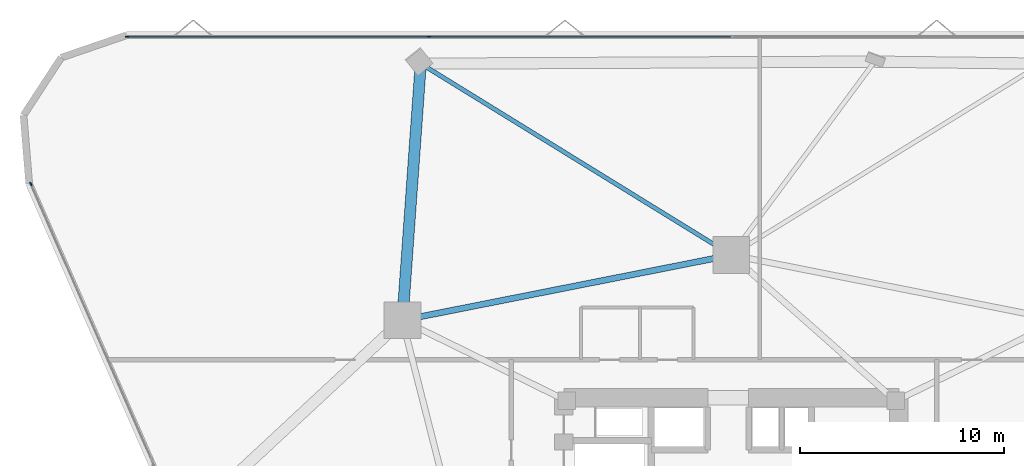
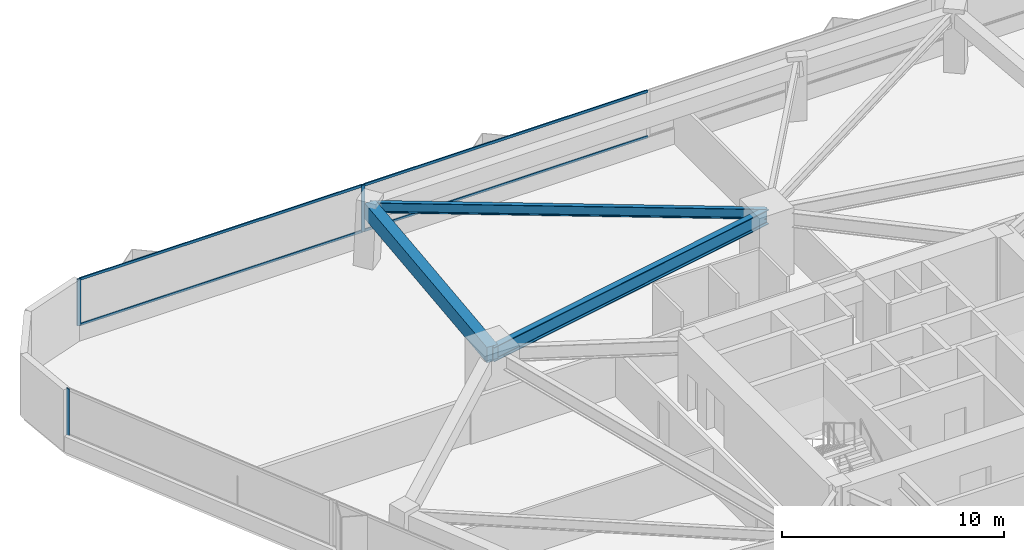
# One storey, part 11 of 20: 7 members, 3 beams, 2 elements without a shape of their own.
"""IFC4 building model written with IfcOpenShell, lengths in metres."""

from ifc_helpers import new_model, si_unit, direction, frame, origin, origin_2d, place, context, subcontext, project, spatial, rectangle, i_section, extrude, material, layer, layer_set, material_profile, profile_set, type_object, element, aggregate, save


model = new_model("IFC4")

# Units and contexts
model_context = context("Model", 3, precision=1e-05, world=origin(), true_north=direction((0.0, 1.0)))
body_context = subcontext(model_context, "Body", "Model", "MODEL_VIEW")
ifc_project = project(units=[si_unit("LENGTHUNIT", "METRE"), si_unit("AREAUNIT", "SQUARE_METRE"), si_unit("VOLUMEUNIT", "CUBIC_METRE"), si_unit("PLANEANGLEUNIT", "RADIAN"), si_unit("MASSUNIT", "GRAM", prefix="KILO")], contexts=[model_context])

# Site, building, storey
site_placement = place(None, origin())
site = spatial("IfcSite", under=ifc_project, at=site_placement, CompositionType="ELEMENT")
building_placement = place(site_placement, origin())
building = spatial("IfcBuilding", under=site, at=building_placement, Name="Talyreon Biosciences Tower", CompositionType="ELEMENT")
storey_placement = place(building_placement, frame((0.0, 0.0, 30.10009765625)))
storey = spatial("IfcBuildingStorey", under=building, at=storey_placement, Name="L07", CompositionType="ELEMENT", Elevation=30.10009765625)

# Curtain wall, member
ifc_material_1 = material(Name="Thermally broken aluminium and low-E glazing", Category="aluminium")
ifc_layer = layer(ifc_material_1, 0.195068359375)
ifc_layer_set = layer_set([ifc_layer], Name="Thermally broken aluminium and low-E glazing")
curtain_wall_type = type_object("IfcCurtainWallType", Name="CurtainWall_Zone1WetLab", PredefinedType="NOTDEFINED", material=ifc_layer_set)
curtain_wall_1_placement = place(storey_placement, origin())
curtain_wall_1 = element("IfcCurtainWall", 1, at=curtain_wall_1_placement, inside=storey, type_object=curtain_wall_type, Name="L07 Unitised Curtain Wall FCW-L07-00", PredefinedType="NOTDEFINED")
ifc_material_2 = material(Name="Anodised thermally broken aluminium", Category="aluminium")
ifc_material_profile_1 = material_profile(ifc_material_2, rectangle(XDim=0.06494140625, YDim=0.179931640625, at=origin_2d()), Name="ALUM MULLION 65x180")
ifc_profile_set_1 = profile_set([ifc_material_profile_1], Name="Anodised thermally broken aluminium")
member_type_1 = type_object("IfcMemberType", Name="CWMullion_65x180", PredefinedType="MULLION", material=ifc_profile_set_1)
member_1_placement = place(storey_placement, frame((31.7119140625, 85.26953125, 0.809814453125), z_axis=(0.0, 0.0, 1.0), x_axis=(-0.915926900592, -0.401345129249, 0.0)))
member_1 = element("IfcMember", 2, at=member_1_placement, type_object=member_type_1, Name="CW2 mullion 6", PredefinedType="MULLION", context=body_context, shape_type="SweptSolid", body=[
    extrude(rectangle(XDim=0.06494140625, YDim=0.179931640625, at=origin_2d()), origin(), (0.0, 0.0, 1.0), 2.565185546875),
])
aggregate(curtain_wall_1, [member_1])

# Curtain wall, members
curtain_wall_2_placement = place(storey_placement, origin())
curtain_wall_2 = element("IfcCurtainWall", 3, at=curtain_wall_2_placement, inside=storey, type_object=curtain_wall_type, Name="L07 Unitised Curtain Wall FCW-L07-04", PredefinedType="NOTDEFINED")
member_2_placement = place(storey_placement, frame((36.4208984375, 92.474365234375, 0.809814453125), z_axis=(0.0, 0.0, 1.0), x_axis=(0.0, 1.0, 0.0)))
member_2 = element("IfcMember", 4, at=member_2_placement, type_object=member_type_1, Name="CW2 mullion 1", PredefinedType="MULLION", context=body_context, shape_type="SweptSolid", body=[
    extrude(rectangle(XDim=0.06494140625, YDim=0.179931640625, at=origin_2d()), origin(), (0.0, 0.0, 1.0), 2.565185546875),
])
member_3_placement = place(storey_placement, frame((51.1943359375, 92.474365234375, 0.809814453125), z_axis=(0.0, 0.0, 1.0), x_axis=(0.0, 1.0, 0.0)))
member_3 = element("IfcMember", 5, at=member_3_placement, type_object=member_type_1, Name="CW2 mullion 2", PredefinedType="MULLION", context=body_context, shape_type="SweptSolid", body=[
    extrude(rectangle(XDim=0.06494140625, YDim=0.179931640625, at=origin_2d()), origin(), (0.0, 0.0, 1.0), 2.565185546875),
])
ifc_material_profile_2 = material_profile(ifc_material_2, rectangle(XDim=0.06494140625, YDim=0.139892578125, at=origin_2d()), Name="ALUM TRANSOM 65x140")
ifc_profile_set_2 = profile_set([ifc_material_profile_2], Name="Anodised thermally broken aluminium")
member_type_2 = type_object("IfcMemberType", Name="CWTransom_65x140", PredefinedType="USERDEFINED", material=ifc_profile_set_2)
member_4_placement = place(storey_placement, frame((36.45361328125, 92.474365234375, 0.84228515625), z_axis=(1.0, 0.0, 0.0), x_axis=(0.0, 1.0, 0.0)))
member_4 = element("IfcMember", 6, at=member_4_placement, type_object=member_type_2, Name="CW2 transom 1.1", ObjectType="TRANSOM", PredefinedType="USERDEFINED", context=body_context, shape_type="SweptSolid", body=[
    extrude(rectangle(XDim=0.06494140625, YDim=0.139892578125, at=origin_2d()), origin(), (0.0, 0.0, 1.0), 14.708251953125),
])
member_5_placement = place(storey_placement, frame((36.45361328125, 92.474365234375, 3.34228515625), z_axis=(1.0, 0.0, 0.0), x_axis=(0.0, 1.0, 0.0)))
member_5 = element("IfcMember", 7, at=member_5_placement, type_object=member_type_2, Name="CW2 transom 1.2", ObjectType="TRANSOM", PredefinedType="USERDEFINED", context=body_context, shape_type="SweptSolid", body=[
    extrude(rectangle(XDim=0.06494140625, YDim=0.139892578125, at=origin_2d()), origin(), (0.0, 0.0, 1.0), 14.708251953125),
])
member_6_placement = place(storey_placement, frame((51.226806640625, 92.474365234375, 0.84228515625), z_axis=(1.0, 0.0, 0.0), x_axis=(0.0, 1.0, 0.0)))
member_6 = element("IfcMember", 8, at=member_6_placement, type_object=member_type_2, Name="CW2 transom 2.1", ObjectType="TRANSOM", PredefinedType="USERDEFINED", context=body_context, shape_type="SweptSolid", body=[
    extrude(rectangle(XDim=0.06494140625, YDim=0.139892578125, at=origin_2d()), origin(), (0.0, 0.0, 1.0), 14.74072265625),
])
member_7_placement = place(storey_placement, frame((51.226806640625, 92.474365234375, 3.34228515625), z_axis=(1.0, 0.0, 0.0), x_axis=(0.0, 1.0, 0.0)))
member_7 = element("IfcMember", 9, at=member_7_placement, type_object=member_type_2, Name="CW2 transom 2.2", ObjectType="TRANSOM", PredefinedType="USERDEFINED", context=body_context, shape_type="SweptSolid", body=[
    extrude(rectangle(XDim=0.06494140625, YDim=0.139892578125, at=origin_2d()), origin(), (0.0, 0.0, 1.0), 14.74072265625),
])
aggregate(curtain_wall_2, [member_2, member_3, member_4, member_5, member_6, member_7])

# Beams
ifc_material_3 = material(Name="Precast concrete C45/55", Category="concrete")
ifc_material_profile_3 = material_profile(ifc_material_3, rectangle(XDim=0.550048828125, YDim=0.85009765625, at=origin_2d()), Name="RCB 550x850")
ifc_profile_set_3 = profile_set([ifc_material_profile_3], Name="Precast concrete C45/55")
beam_type_1 = type_object("IfcBeamType", Name="ExpressedSpandrel_550x850", PredefinedType="SPANDREL", material=ifc_profile_set_3)
beam_1_placement = place(storey_placement, frame((50.798095703125, 91.15966796875, 2.949951171875), z_axis=(-0.071497794265, -0.997440757847, 0.0), x_axis=(0.997440757847, -0.071497794265, 0.0)))
element("IfcBeam", 10, at=beam_1_placement, inside=storey, type_object=beam_type_1, Name="L07 Expressed Horizontal Concrete Spandrel 08", PredefinedType="SPANDREL", context=body_context, shape_type="SweptSolid", body=[
    extrude(rectangle(XDim=0.550048828125, YDim=0.85009765625, at=origin_2d()), origin(), (0.0, 0.0, 1.0), 12.59326171875),
])
ifc_material_4 = material(Name="Steel SM355", Category="steel")
ifc_material_profile_4 = material_profile(ifc_material_4, i_section(OverallWidth=0.300048828125, OverallDepth=0.800048828125, WebThickness=0.017578125, FlangeThickness=0.032958984375, FilletRadius=0.030029296875, at=origin_2d()), Name="HE800B")
ifc_profile_set_4 = profile_set([ifc_material_profile_4], Name="Steel SM355")
beam_type_2 = type_object("IfcBeamType", Name="SteelGirder_HE800B", PredefinedType="BEAM", material=ifc_profile_set_4)
beam_2_placement = place(storey_placement, frame((66.0, 81.788818359375, 2.974853515625), z_axis=(-0.980933730698, -0.194342522311, 0.0), x_axis=(0.194342522311, -0.980933730698, 0.0)))
element("IfcBeam", 11, at=beam_2_placement, inside=storey, type_object=beam_type_2, Name="L07 Mega-Ring Girder 4", PredefinedType="BEAM", context=body_context, shape_type="SweptSolid", body=[
    extrude(i_section(OverallWidth=0.300048828125, OverallDepth=0.800048828125, WebThickness=0.017578125, FlangeThickness=0.032958984375, FilletRadius=0.030029296875, at=origin_2d()), origin(), (0.0, 0.0, 1.0), 16.415283203125),
])
ifc_material_profile_5 = material_profile(ifc_material_4, i_section(OverallWidth=0.2099609375, OverallDepth=0.550048828125, WebThickness=0.010986328125, FlangeThickness=0.01708984375, FilletRadius=0.02392578125, at=origin_2d()), Name="IPE550")
ifc_profile_set_5 = profile_set([ifc_material_profile_5], Name="Steel SM355")
beam_type_3 = type_object("IfcBeamType", Name="SteelJoist_IPE550", PredefinedType="JOIST", material=ifc_profile_set_5)
beam_3_placement = place(storey_placement, frame((66.0, 81.788818359375, 3.099853515625), z_axis=(-0.851262372973, 0.524740290392, 0.0), x_axis=(-0.524740290392, -0.851262372973, 0.0)))
element("IfcBeam", 12, at=beam_3_placement, inside=storey, type_object=beam_type_3, Name="L07 Radial Composite Floor Joist PC-N2", PredefinedType="JOIST", context=body_context, shape_type="SweptSolid", body=[
    extrude(i_section(OverallWidth=0.2099609375, OverallDepth=0.550048828125, WebThickness=0.010986328125, FlangeThickness=0.01708984375, FilletRadius=0.02392578125, at=origin_2d()), origin(), (0.0, 0.0, 1.0), 17.858154296875),
])

save(model, "model.ifc")
